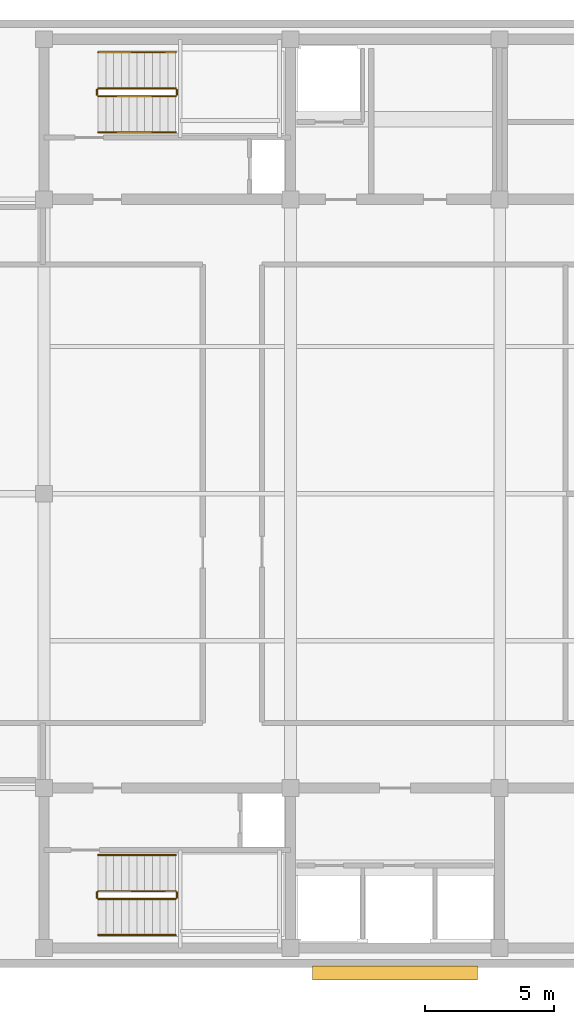
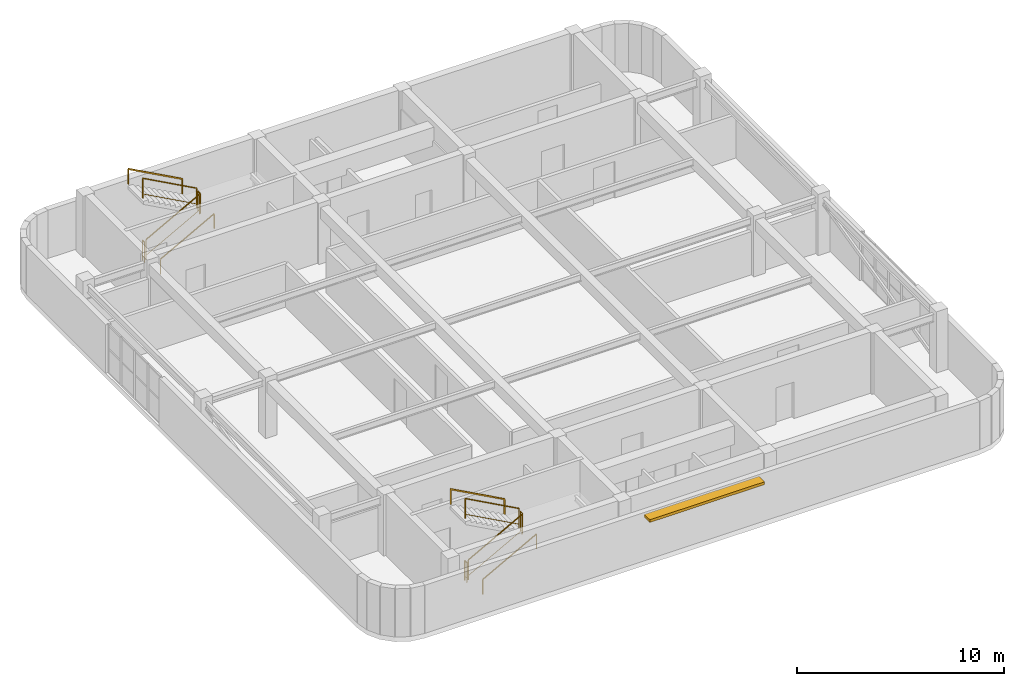
# One storey, part 9 of 9: 12 railings, 1 shading device.
"""IFC4 building model written with IfcOpenShell, lengths in metres."""

from ifc_helpers import new_model, si_unit, direction, frame, origin, origin_2d, place, context, subcontext, project, spatial, rectangle, extrude, material, layer, layer_set, type_object, element, save


model = new_model("IFC4")

# Units and contexts
model_context = context("Model", 3, precision=1e-05, world=origin(), true_north=direction((0.0, 1.0)))
body_context = subcontext(model_context, "Body", "Model", "MODEL_VIEW")
ifc_project = project(units=[si_unit("LENGTHUNIT", "METRE"), si_unit("AREAUNIT", "SQUARE_METRE"), si_unit("VOLUMEUNIT", "CUBIC_METRE"), si_unit("PLANEANGLEUNIT", "RADIAN"), si_unit("MASSUNIT", "GRAM", prefix="KILO")], contexts=[model_context])

# Site, building, storey
site_placement = place(None, origin())
site = spatial("IfcSite", under=ifc_project, at=site_placement, CompositionType="ELEMENT")
building_placement = place(site_placement, origin())
building = spatial("IfcBuilding", under=site, at=building_placement, Name="Svetorya Sky Lyceum", CompositionType="ELEMENT")
storey_placement = place(building_placement, frame((0.0, 0.0, 316.39990234375)))
storey = spatial("IfcBuildingStorey", under=building, at=storey_placement, Name="C05", CompositionType="ELEMENT", Elevation=316.39990234375)

# Railings
ifc_material_1 = material(Name="Painted galvanized stair well guard")
railing_type_1 = type_object("IfcRailingType", Name="RL-STR-GUARD-1200", PredefinedType="GUARDRAIL", material=ifc_material_1)
railing_1_placement = place(storey_placement, frame((27.699951171875, 12.5, 0.163818359375)))
element("IfcRailing", 1, at=railing_1_placement, inside=storey, type_object=railing_type_1, Name="C05 ST-S stair guard 1", PredefinedType="GUARDRAIL", context=body_context, shape_type="SweptSolid", body=[
    extrude(rectangle(XDim=0.048095703125, YDim=0.048095703125, at=origin_2d()), frame((0.0, 0.0, 1.17578125), z_axis=(0.877911954615, 0.0, 0.47882209634), x_axis=(0.0, 1.0, 0.0)), (0.0, 0.0, 1.0), 3.417236328125),
    extrude(rectangle(XDim=0.02392578125, YDim=0.02392578125, at=origin_2d()), frame((0.0, 0.0, 0.25), z_axis=(0.877911954615, 0.0, 0.47882209634), x_axis=(0.0, 1.0, 0.0)), (0.0, 0.0, 1.0), 3.417236328125),
    extrude(rectangle(XDim=0.0419921875, YDim=0.0419921875, at=origin_2d()), origin(), (0.0, 0.0, 1.0), 1.15185546875),
    extrude(rectangle(XDim=0.0419921875, YDim=0.0419921875, at=origin_2d()), frame((3.0, 0.0, 1.63623046875)), (0.0, 0.0, 1.0), 1.15185546875),
])
railing_2_placement = place(storey_placement, frame((30.75, 12.550048828125, 1.800048828125)))
element("IfcRailing", 2, at=railing_2_placement, inside=storey, type_object=railing_type_1, Name="C05 ST-S stair guard 2", PredefinedType="GUARDRAIL", context=body_context, shape_type="SweptSolid", body=[
    extrude(rectangle(XDim=0.048095703125, YDim=0.048095703125, at=origin_2d()), frame((0.0, 0.0, 1.17578125), z_axis=(0.0, 1.0, 0.0), x_axis=(-1.0, 0.0, 0.0)), (0.0, 0.0, 1.0), 0.199951171875),
    extrude(rectangle(XDim=0.02392578125, YDim=0.02392578125, at=origin_2d()), frame((0.0, 0.0, 0.25), z_axis=(0.0, 1.0, 0.0), x_axis=(-1.0, 0.0, 0.0)), (0.0, 0.0, 1.0), 0.199951171875),
    extrude(rectangle(XDim=0.0419921875, YDim=0.0419921875, at=origin_2d()), origin(), (0.0, 0.0, 1.0), 1.15185546875),
    extrude(rectangle(XDim=0.0419921875, YDim=0.0419921875, at=origin_2d()), frame((0.0, 0.199951171875, 0.0)), (0.0, 0.0, 1.0), 1.15185546875),
])
railing_3_placement = place(storey_placement, frame((30.699951171875, 12.800048828125, 1.963623046875)))
element("IfcRailing", 3, at=railing_3_placement, inside=storey, type_object=railing_type_1, Name="C05 ST-S stair guard 3", PredefinedType="GUARDRAIL", context=body_context, shape_type="SweptSolid", body=[
    extrude(rectangle(XDim=0.048095703125, YDim=0.048095703125, at=origin_2d()), frame((0.0, 0.0, 1.17578125), z_axis=(-0.877881921179, 0.0, 0.478877158013), x_axis=(0.0, -1.0, 0.0)), (0.0, 0.0, 1.0), 3.417236328125),
    extrude(rectangle(XDim=0.02392578125, YDim=0.02392578125, at=origin_2d()), frame((0.0, 0.0, 0.25), z_axis=(-0.877881921179, 0.0, 0.478877158013), x_axis=(0.0, -1.0, 0.0)), (0.0, 0.0, 1.0), 3.417236328125),
    extrude(rectangle(XDim=0.0419921875, YDim=0.0419921875, at=origin_2d()), origin(), (0.0, 0.0, 1.0), 1.15185546875),
    extrude(rectangle(XDim=0.0419921875, YDim=0.0419921875, at=origin_2d()), frame((-3.0, 0.0, 1.636474609375)), (0.0, 0.0, 1.0), 1.15185546875),
])
railing_4_placement = place(storey_placement, frame((27.64990234375, 12.550048828125, 0.0)))
element("IfcRailing", 4, at=railing_4_placement, inside=storey, type_object=railing_type_1, Name="C05 ST-S stair guard 4", PredefinedType="GUARDRAIL", context=body_context, shape_type="SweptSolid", body=[
    extrude(rectangle(XDim=0.048095703125, YDim=0.048095703125, at=origin_2d()), frame((0.0, 0.0, 1.17578125), z_axis=(0.0, 1.0, 0.0), x_axis=(-1.0, 0.0, 0.0)), (0.0, 0.0, 1.0), 0.199951171875),
    extrude(rectangle(XDim=0.02392578125, YDim=0.02392578125, at=origin_2d()), frame((0.0, 0.0, 0.25), z_axis=(0.0, 1.0, 0.0), x_axis=(-1.0, 0.0, 0.0)), (0.0, 0.0, 1.0), 0.199951171875),
    extrude(rectangle(XDim=0.0419921875, YDim=0.0419921875, at=origin_2d()), origin(), (0.0, 0.0, 1.0), 1.15185546875),
    extrude(rectangle(XDim=0.0419921875, YDim=0.0419921875, at=origin_2d()), frame((0.0, 0.199951171875, 0.0)), (0.0, 0.0, 1.0), 1.15185546875),
])
railing_5_placement = place(storey_placement, frame((27.699951171875, 43.60009765625, 0.163818359375)))
element("IfcRailing", 5, at=railing_5_placement, inside=storey, type_object=railing_type_1, Name="C05 ST-N stair guard 1", PredefinedType="GUARDRAIL", context=body_context, shape_type="SweptSolid", body=[
    extrude(rectangle(XDim=0.048095703125, YDim=0.048095703125, at=origin_2d()), frame((0.0, 0.0, 1.17578125), z_axis=(0.877911954615, 0.0, 0.47882209634), x_axis=(0.0, 1.0, 0.0)), (0.0, 0.0, 1.0), 3.417236328125),
    extrude(rectangle(XDim=0.02392578125, YDim=0.02392578125, at=origin_2d()), frame((0.0, 0.0, 0.25), z_axis=(0.877911954615, 0.0, 0.47882209634), x_axis=(0.0, 1.0, 0.0)), (0.0, 0.0, 1.0), 3.417236328125),
    extrude(rectangle(XDim=0.0419921875, YDim=0.0419921875, at=origin_2d()), origin(), (0.0, 0.0, 1.0), 1.15185546875),
    extrude(rectangle(XDim=0.0419921875, YDim=0.0419921875, at=origin_2d()), frame((3.0, 0.0, 1.63623046875)), (0.0, 0.0, 1.0), 1.15185546875),
])
railing_6_placement = place(storey_placement, frame((30.75, 43.64990234375, 1.800048828125)))
element("IfcRailing", 6, at=railing_6_placement, inside=storey, type_object=railing_type_1, Name="C05 ST-N stair guard 2", PredefinedType="GUARDRAIL", context=body_context, shape_type="SweptSolid", body=[
    extrude(rectangle(XDim=0.048095703125, YDim=0.048095703125, at=origin_2d()), frame((0.0, 0.0, 1.17578125), z_axis=(0.0, 1.0, 0.0), x_axis=(-1.0, 0.0, 0.0)), (0.0, 0.0, 1.0), 0.2001953125),
    extrude(rectangle(XDim=0.02392578125, YDim=0.02392578125, at=origin_2d()), frame((0.0, 0.0, 0.25), z_axis=(0.0, 1.0, 0.0), x_axis=(-1.0, 0.0, 0.0)), (0.0, 0.0, 1.0), 0.2001953125),
    extrude(rectangle(XDim=0.0419921875, YDim=0.0419921875, at=origin_2d()), origin(), (0.0, 0.0, 1.0), 1.15185546875),
    extrude(rectangle(XDim=0.0419921875, YDim=0.0419921875, at=origin_2d()), frame((0.0, 0.2001953125, 0.0)), (0.0, 0.0, 1.0), 1.15185546875),
])
railing_7_placement = place(storey_placement, frame((30.699951171875, 43.89990234375, 1.963623046875)))
element("IfcRailing", 7, at=railing_7_placement, inside=storey, type_object=railing_type_1, Name="C05 ST-N stair guard 3", PredefinedType="GUARDRAIL", context=body_context, shape_type="SweptSolid", body=[
    extrude(rectangle(XDim=0.048095703125, YDim=0.048095703125, at=origin_2d()), frame((0.0, 0.0, 1.17578125), z_axis=(-0.877881921179, 0.0, 0.478877158013), x_axis=(0.0, -1.0, 0.0)), (0.0, 0.0, 1.0), 3.417236328125),
    extrude(rectangle(XDim=0.02392578125, YDim=0.02392578125, at=origin_2d()), frame((0.0, 0.0, 0.25), z_axis=(-0.877881921179, 0.0, 0.478877158013), x_axis=(0.0, -1.0, 0.0)), (0.0, 0.0, 1.0), 3.417236328125),
    extrude(rectangle(XDim=0.0419921875, YDim=0.0419921875, at=origin_2d()), origin(), (0.0, 0.0, 1.0), 1.15185546875),
    extrude(rectangle(XDim=0.0419921875, YDim=0.0419921875, at=origin_2d()), frame((-3.0, 0.0, 1.636474609375)), (0.0, 0.0, 1.0), 1.15185546875),
])
railing_8_placement = place(storey_placement, frame((27.64990234375, 43.64990234375, 0.0)))
element("IfcRailing", 8, at=railing_8_placement, inside=storey, type_object=railing_type_1, Name="C05 ST-N stair guard 4", PredefinedType="GUARDRAIL", context=body_context, shape_type="SweptSolid", body=[
    extrude(rectangle(XDim=0.048095703125, YDim=0.048095703125, at=origin_2d()), frame((0.0, 0.0, 1.17578125), z_axis=(0.0, 1.0, 0.0), x_axis=(-1.0, 0.0, 0.0)), (0.0, 0.0, 1.0), 0.2001953125),
    extrude(rectangle(XDim=0.02392578125, YDim=0.02392578125, at=origin_2d()), frame((0.0, 0.0, 0.25), z_axis=(0.0, 1.0, 0.0), x_axis=(-1.0, 0.0, 0.0)), (0.0, 0.0, 1.0), 0.2001953125),
    extrude(rectangle(XDim=0.0419921875, YDim=0.0419921875, at=origin_2d()), origin(), (0.0, 0.0, 1.0), 1.15185546875),
    extrude(rectangle(XDim=0.0419921875, YDim=0.0419921875, at=origin_2d()), frame((0.0, 0.2001953125, 0.0)), (0.0, 0.0, 1.0), 1.15185546875),
])
ifc_material_2 = material(Name="Brushed stainless AISI 304 stair handrail")
railing_type_2 = type_object("IfcRailingType", Name="RL-STR-HAND-920", PredefinedType="HANDRAIL", material=ifc_material_2)
railing_9_placement = place(storey_placement, frame((27.699951171875, 11.10009765625, 0.163818359375)))
element("IfcRailing", 9, at=railing_9_placement, inside=storey, type_object=railing_type_2, Name="C05 ST-S stair handrail 1", PredefinedType="HANDRAIL", context=body_context, shape_type="SweptSolid", body=[
    extrude(rectangle(XDim=0.048095703125, YDim=0.048095703125, at=origin_2d()), frame((0.0, 0.0, 0.8759765625), z_axis=(0.877911954615, 0.0, 0.47882209634), x_axis=(0.0, 1.0, 0.0)), (0.0, 0.0, 1.0), 3.417236328125),
    extrude(rectangle(XDim=0.0419921875, YDim=0.0419921875, at=origin_2d()), origin(), (0.0, 0.0, 1.0), 0.851806640625),
    extrude(rectangle(XDim=0.0419921875, YDim=0.0419921875, at=origin_2d()), frame((3.0, 0.0, 1.63623046875)), (0.0, 0.0, 1.0), 0.851806640625),
])
railing_10_placement = place(storey_placement, frame((30.699951171875, 14.199951171875, 1.963623046875)))
element("IfcRailing", 10, at=railing_10_placement, inside=storey, type_object=railing_type_2, Name="C05 ST-S stair handrail 2", PredefinedType="HANDRAIL", context=body_context, shape_type="SweptSolid", body=[
    extrude(rectangle(XDim=0.048095703125, YDim=0.048095703125, at=origin_2d()), frame((0.0, 0.0, 0.8759765625), z_axis=(-0.877881921179, 0.0, 0.478877158013), x_axis=(0.0, -1.0, 0.0)), (0.0, 0.0, 1.0), 3.417236328125),
    extrude(rectangle(XDim=0.0419921875, YDim=0.0419921875, at=origin_2d()), origin(), (0.0, 0.0, 1.0), 0.851806640625),
    extrude(rectangle(XDim=0.0419921875, YDim=0.0419921875, at=origin_2d()), frame((-3.0, 0.0, 1.636474609375)), (0.0, 0.0, 1.0), 0.851806640625),
])
railing_11_placement = place(storey_placement, frame((27.699951171875, 42.199951171875, 0.163818359375)))
element("IfcRailing", 11, at=railing_11_placement, inside=storey, type_object=railing_type_2, Name="C05 ST-N stair handrail 1", PredefinedType="HANDRAIL", context=body_context, shape_type="SweptSolid", body=[
    extrude(rectangle(XDim=0.048095703125, YDim=0.048095703125, at=origin_2d()), frame((0.0, 0.0, 0.8759765625), z_axis=(0.877911954615, 0.0, 0.47882209634), x_axis=(0.0, 1.0, 0.0)), (0.0, 0.0, 1.0), 3.417236328125),
    extrude(rectangle(XDim=0.0419921875, YDim=0.0419921875, at=origin_2d()), origin(), (0.0, 0.0, 1.0), 0.851806640625),
    extrude(rectangle(XDim=0.0419921875, YDim=0.0419921875, at=origin_2d()), frame((3.0, 0.0, 1.63623046875)), (0.0, 0.0, 1.0), 0.851806640625),
])
railing_12_placement = place(storey_placement, frame((30.699951171875, 45.300048828125, 1.963623046875)))
element("IfcRailing", 12, at=railing_12_placement, inside=storey, type_object=railing_type_2, Name="C05 ST-N stair handrail 2", PredefinedType="HANDRAIL", context=body_context, shape_type="SweptSolid", body=[
    extrude(rectangle(XDim=0.048095703125, YDim=0.048095703125, at=origin_2d()), frame((0.0, 0.0, 0.8759765625), z_axis=(-0.877881921179, 0.0, 0.478877158013), x_axis=(0.0, -1.0, 0.0)), (0.0, 0.0, 1.0), 3.417236328125),
    extrude(rectangle(XDim=0.0419921875, YDim=0.0419921875, at=origin_2d()), origin(), (0.0, 0.0, 1.0), 0.851806640625),
    extrude(rectangle(XDim=0.0419921875, YDim=0.0419921875, at=origin_2d()), frame((-3.0, 0.0, 1.636474609375)), (0.0, 0.0, 1.0), 0.851806640625),
])

# Shading device
ifc_material_3 = material(Name="Champagne-anodized extruded aluminium sunshade", Category="aluminium")
ifc_layer = layer(ifc_material_3, 0.159912109375)
ifc_layer_set = layer_set([ifc_layer], Name="Champagne-anodized extruded aluminium sunshade")
shading_device_type = type_object("IfcShadingDeviceType", Name="SHD-LVR-540", PredefinedType="AWNING", material=ifc_layer_set)
shading_device_placement = place(storey_placement, frame((39.199951171875, 9.6298828125, 2.5400390625), z_axis=(0.0, 0.0, 1.0), x_axis=(1.0, 0.0, 0.0)))
element("IfcShadingDevice", 13, at=shading_device_placement, inside=storey, type_object=shading_device_type, Name="C05 Solar Brise-Soleil SHD-1.6M", PredefinedType="AWNING", context=body_context, shape_type="SweptSolid", body=[
    extrude(rectangle(XDim=6.39990234375, YDim=0.5400390625, at=origin_2d()), origin(), (0.0, 0.0, 1.0), 0.159912109375),
])

save(model, "model.ifc")
